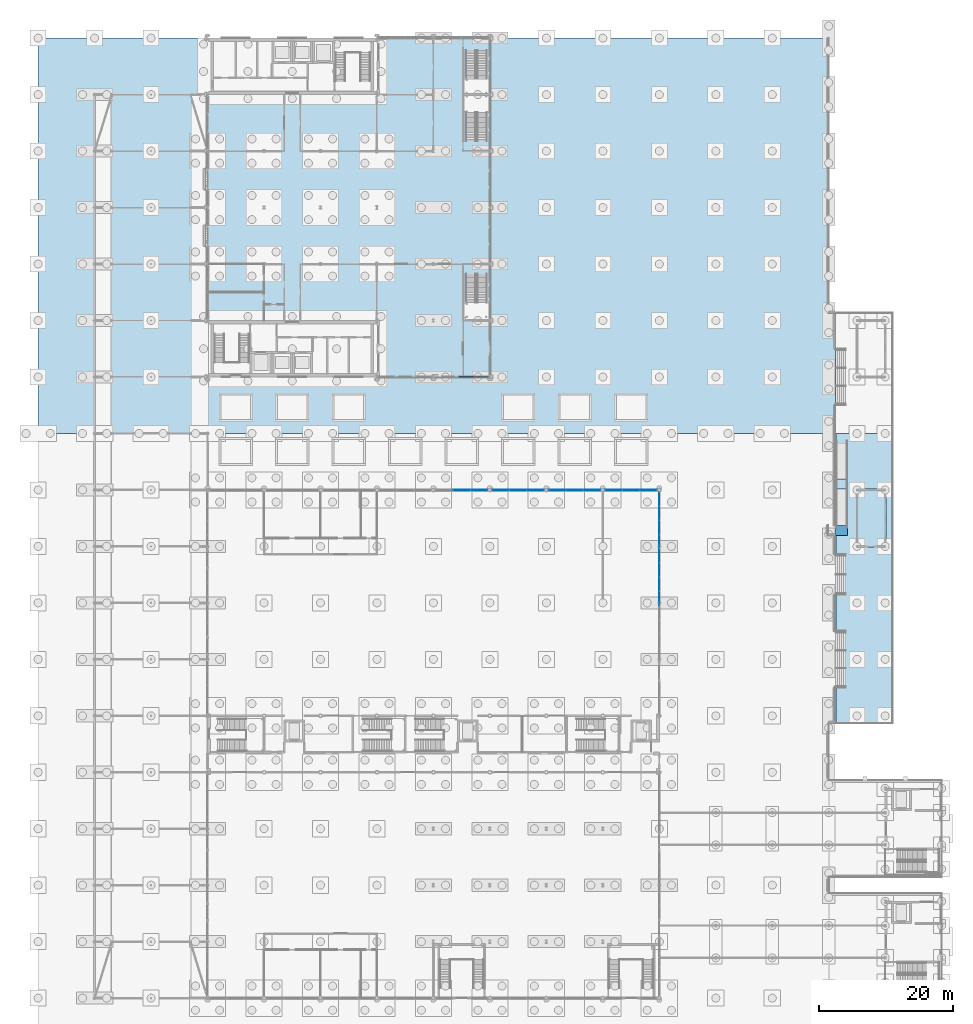
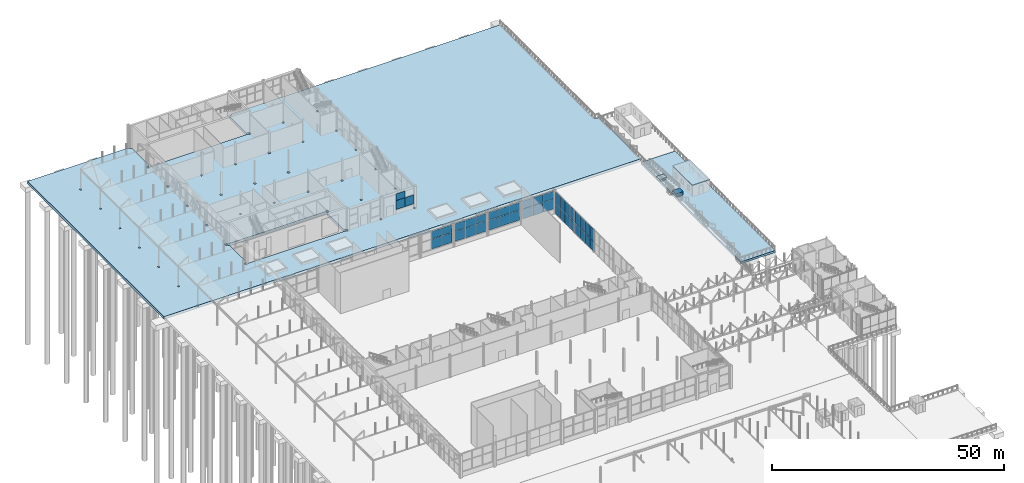
# One storey, part 177 of 212: 41 plates, 5 slabs, 7 elements without a shape of their own.
"""IFC4 building model written with IfcOpenShell, lengths in metres."""

from ifc_helpers import new_model, si_unit, direction, frame, origin, origin_2d, place, context, subcontext, project, spatial, polyline, rectangle, outline, extrude, material, layer, layer_set, type_object, element, aggregate, save


model = new_model("IFC4")

# Units and contexts
model_context = context("Model", 3, precision=1e-05, world=origin(), true_north=direction((0.0, 1.0)))
body_context = subcontext(model_context, "Body", "Model", "MODEL_VIEW")
ifc_project = project(units=[si_unit("LENGTHUNIT", "METRE"), si_unit("AREAUNIT", "SQUARE_METRE"), si_unit("VOLUMEUNIT", "CUBIC_METRE"), si_unit("PLANEANGLEUNIT", "RADIAN"), si_unit("MASSUNIT", "GRAM", prefix="KILO")], contexts=[model_context])

# Site, building, storey
site_placement = place(None, origin())
site = spatial("IfcSite", under=ifc_project, at=site_placement, CompositionType="ELEMENT")
building_placement = place(site_placement, origin())
building = spatial("IfcBuilding", under=site, at=building_placement, Name="Catenary Quay Ferry Terminal", CompositionType="ELEMENT")
storey_placement = place(building_placement, origin())
storey = spatial("IfcBuildingStorey", under=building, at=storey_placement, Name="L00", CompositionType="ELEMENT", Elevation=0.0)

# Curtain wall, plates
ifc_material_1 = material(Name="Aluminium and glass", Category="aluminium")
curtain_wall_type_1 = type_object("IfcCurtainWallType", Name="CWG", PredefinedType="NOTDEFINED", material=ifc_material_1)
curtain_wall_1_placement = place(storey_placement, origin())
curtain_wall_1 = element("IfcCurtainWall", 1, at=curtain_wall_1_placement, inside=storey, type_object=curtain_wall_type_1, Name="Gable departure hall curtain wall CW19", PredefinedType="NOTDEFINED")
ifc_material_2 = material(Name="Glass", Category="glass")
ifc_layer_1 = layer(ifc_material_2, 0.031982421875)
ifc_layer_set_1 = layer_set([ifc_layer_1], Name="PN1")
plate_type_1 = type_object("IfcPlateType", Name="PN1", PredefinedType="CURTAIN_PANEL", material=ifc_layer_set_1)
plate_1_placement = place(storey_placement, frame((92.39990234375, 126.65625, 0.06005859375), z_axis=(0.0, 0.0, 1.0), x_axis=(0.0, 1.0, 0.0)))
plate_1 = element("IfcPlate", 2, at=plate_1_placement, type_object=plate_type_1, Name="CW19 panel 5.1", PredefinedType="CURTAIN_PANEL", context=body_context, shape_type="SweptSolid", body=[
    extrude(rectangle(XDim=2.052490234375, YDim=0.031982421875, at=origin_2d()), origin(), (0.0, 0.0, 1.0), 2.610107421875),
])
plate_2_placement = place(storey_placement, frame((92.39990234375, 126.65625, 2.72998046875), z_axis=(0.0, 0.0, 1.0), x_axis=(0.0, 1.0, 0.0)))
plate_2 = element("IfcPlate", 3, at=plate_2_placement, type_object=plate_type_1, Name="CW19 panel 5.2", PredefinedType="CURTAIN_PANEL", context=body_context, shape_type="SweptSolid", body=[
    extrude(rectangle(XDim=2.052490234375, YDim=0.031982421875, at=origin_2d()), origin(), (0.0, 0.0, 1.0), 3.2099609375),
])
plate_3_placement = place(storey_placement, frame((92.39990234375, 128.768798828125, 0.06005859375), z_axis=(0.0, 0.0, 1.0), x_axis=(0.0, 1.0, 0.0)))
plate_3 = element("IfcPlate", 4, at=plate_3_placement, type_object=plate_type_1, Name="CW19 panel 6.1", PredefinedType="CURTAIN_PANEL", context=body_context, shape_type="SweptSolid", body=[
    extrude(rectangle(XDim=2.052490234375, YDim=0.031982421875, at=origin_2d()), origin(), (0.0, 0.0, 1.0), 2.610107421875),
])
plate_4_placement = place(storey_placement, frame((92.39990234375, 128.768798828125, 2.72998046875), z_axis=(0.0, 0.0, 1.0), x_axis=(0.0, 1.0, 0.0)))
plate_4 = element("IfcPlate", 5, at=plate_4_placement, type_object=plate_type_1, Name="CW19 panel 6.2", PredefinedType="CURTAIN_PANEL", context=body_context, shape_type="SweptSolid", body=[
    extrude(rectangle(XDim=2.052490234375, YDim=0.031982421875, at=origin_2d()), origin(), (0.0, 0.0, 1.0), 3.2099609375),
])
plate_5_placement = place(storey_placement, frame((92.39990234375, 130.88134765625, 0.06005859375), z_axis=(0.0, 0.0, 1.0), x_axis=(0.0, 1.0, 0.0)))
plate_5 = element("IfcPlate", 6, at=plate_5_placement, type_object=plate_type_1, Name="CW19 panel 7.1", PredefinedType="CURTAIN_PANEL", context=body_context, shape_type="SweptSolid", body=[
    extrude(rectangle(XDim=2.052490234375, YDim=0.031982421875, at=origin_2d()), origin(), (0.0, 0.0, 1.0), 2.610107421875),
])
plate_6_placement = place(storey_placement, frame((92.39990234375, 130.88134765625, 2.72998046875), z_axis=(0.0, 0.0, 1.0), x_axis=(0.0, 1.0, 0.0)))
plate_6 = element("IfcPlate", 7, at=plate_6_placement, type_object=plate_type_1, Name="CW19 panel 7.2", PredefinedType="CURTAIN_PANEL", context=body_context, shape_type="SweptSolid", body=[
    extrude(rectangle(XDim=2.052490234375, YDim=0.031982421875, at=origin_2d()), origin(), (0.0, 0.0, 1.0), 3.2099609375),
])
plate_7_placement = place(storey_placement, frame((92.39990234375, 132.99365234375, 0.06005859375), z_axis=(0.0, 0.0, 1.0), x_axis=(0.0, 1.0, 0.0)))
plate_7 = element("IfcPlate", 8, at=plate_7_placement, type_object=plate_type_1, Name="CW19 panel 8.1", PredefinedType="CURTAIN_PANEL", context=body_context, shape_type="SweptSolid", body=[
    extrude(rectangle(XDim=2.052490234375, YDim=0.031982421875, at=origin_2d()), origin(), (0.0, 0.0, 1.0), 2.610107421875),
])
plate_8_placement = place(storey_placement, frame((92.39990234375, 132.99365234375, 2.72998046875), z_axis=(0.0, 0.0, 1.0), x_axis=(0.0, 1.0, 0.0)))
plate_8 = element("IfcPlate", 9, at=plate_8_placement, type_object=plate_type_1, Name="CW19 panel 8.2", PredefinedType="CURTAIN_PANEL", context=body_context, shape_type="SweptSolid", body=[
    extrude(rectangle(XDim=2.052490234375, YDim=0.031982421875, at=origin_2d()), origin(), (0.0, 0.0, 1.0), 3.2099609375),
])
plate_9_placement = place(storey_placement, frame((92.39990234375, 135.106201171875, 0.06005859375), z_axis=(0.0, 0.0, 1.0), x_axis=(0.0, 1.0, 0.0)))
plate_9 = element("IfcPlate", 10, at=plate_9_placement, type_object=plate_type_1, Name="CW19 panel 9.1", PredefinedType="CURTAIN_PANEL", context=body_context, shape_type="SweptSolid", body=[
    extrude(rectangle(XDim=2.052490234375, YDim=0.031982421875, at=origin_2d()), origin(), (0.0, 0.0, 1.0), 2.610107421875),
])
plate_10_placement = place(storey_placement, frame((92.39990234375, 135.106201171875, 2.72998046875), z_axis=(0.0, 0.0, 1.0), x_axis=(0.0, 1.0, 0.0)))
plate_10 = element("IfcPlate", 11, at=plate_10_placement, type_object=plate_type_1, Name="CW19 panel 9.2", PredefinedType="CURTAIN_PANEL", context=body_context, shape_type="SweptSolid", body=[
    extrude(rectangle(XDim=2.052490234375, YDim=0.031982421875, at=origin_2d()), origin(), (0.0, 0.0, 1.0), 3.2099609375),
])
plate_11_placement = place(storey_placement, frame((92.39990234375, 137.21875, 0.06005859375), z_axis=(0.0, 0.0, 1.0), x_axis=(0.0, 1.0, 0.0)))
plate_11 = element("IfcPlate", 12, at=plate_11_placement, type_object=plate_type_1, Name="CW19 panel 10.1", PredefinedType="CURTAIN_PANEL", context=body_context, shape_type="SweptSolid", body=[
    extrude(rectangle(XDim=2.052490234375, YDim=0.031982421875, at=origin_2d()), origin(), (0.0, 0.0, 1.0), 2.610107421875),
])
plate_12_placement = place(storey_placement, frame((92.39990234375, 137.21875, 2.72998046875), z_axis=(0.0, 0.0, 1.0), x_axis=(0.0, 1.0, 0.0)))
plate_12 = element("IfcPlate", 13, at=plate_12_placement, type_object=plate_type_1, Name="CW19 panel 10.2", PredefinedType="CURTAIN_PANEL", context=body_context, shape_type="SweptSolid", body=[
    extrude(rectangle(XDim=2.052490234375, YDim=0.031982421875, at=origin_2d()), origin(), (0.0, 0.0, 1.0), 3.2099609375),
])
plate_13_placement = place(storey_placement, frame((92.39990234375, 139.331298828125, 0.06005859375), z_axis=(0.0, 0.0, 1.0), x_axis=(0.0, 1.0, 0.0)))
plate_13 = element("IfcPlate", 14, at=plate_13_placement, type_object=plate_type_1, Name="CW19 panel 11.1", PredefinedType="CURTAIN_PANEL", context=body_context, shape_type="SweptSolid", body=[
    extrude(rectangle(XDim=2.052490234375, YDim=0.031982421875, at=origin_2d()), origin(), (0.0, 0.0, 1.0), 2.610107421875),
])
plate_14_placement = place(storey_placement, frame((92.39990234375, 139.331298828125, 2.72998046875), z_axis=(0.0, 0.0, 1.0), x_axis=(0.0, 1.0, 0.0)))
plate_14 = element("IfcPlate", 15, at=plate_14_placement, type_object=plate_type_1, Name="CW19 panel 11.2", PredefinedType="CURTAIN_PANEL", context=body_context, shape_type="SweptSolid", body=[
    extrude(rectangle(XDim=2.052490234375, YDim=0.031982421875, at=origin_2d()), origin(), (0.0, 0.0, 1.0), 3.2099609375),
])
plate_15_placement = place(storey_placement, frame((92.39990234375, 141.4287109375, 0.06005859375), z_axis=(0.0, 0.0, 1.0), x_axis=(0.0, 1.0, 0.0)))
plate_15 = element("IfcPlate", 16, at=plate_15_placement, type_object=plate_type_1, Name="CW19 panel 12.1", PredefinedType="CURTAIN_PANEL", context=body_context, shape_type="SweptSolid", body=[
    extrude(rectangle(XDim=2.0224609375, YDim=0.031982421875, at=origin_2d()), origin(), (0.0, 0.0, 1.0), 2.610107421875),
])
plate_16_placement = place(storey_placement, frame((92.39990234375, 141.4287109375, 2.72998046875), z_axis=(0.0, 0.0, 1.0), x_axis=(0.0, 1.0, 0.0)))
plate_16 = element("IfcPlate", 17, at=plate_16_placement, type_object=plate_type_1, Name="CW19 panel 12.2", PredefinedType="CURTAIN_PANEL", context=body_context, shape_type="SweptSolid", body=[
    extrude(rectangle(XDim=2.0224609375, YDim=0.031982421875, at=origin_2d()), origin(), (0.0, 0.0, 1.0), 3.2099609375),
])
aggregate(curtain_wall_1, [plate_1, plate_2, plate_3, plate_4, plate_5, plate_6, plate_7, plate_8, plate_9, plate_10, plate_11, plate_12, plate_13, plate_14, plate_15, plate_16])

ifc_material_3 = material(Name="Aluminium and glass", Category="aluminium")
curtain_wall_type_2 = type_object("IfcCurtainWallType", Name="CWH", PredefinedType="NOTDEFINED", material=ifc_material_3)
curtain_wall_2_placement = place(storey_placement, origin())
curtain_wall_2 = element("IfcCurtainWall", 18, at=curtain_wall_2_placement, inside=storey, type_object=curtain_wall_type_2, Name="Hall curtain wall CW44", PredefinedType="NOTDEFINED")
ifc_material_4 = material(Name="Glass", Category="glass")
ifc_layer_2 = layer(ifc_material_4, 0.0400390625)
ifc_layer_set_2 = layer_set([ifc_layer_2], Name="PN2")
plate_type_2 = type_object("IfcPlateType", Name="PN2", PredefinedType="CURTAIN_PANEL", material=ifc_layer_set_2)
plate_17_placement = place(storey_placement, frame((63.0, 142.800048828125, 1.259765625), z_axis=(0.0, 0.0, 1.0), x_axis=(1.0, 0.0, 0.0)))
plate_17 = element("IfcPlate", 19, at=plate_17_placement, type_object=plate_type_2, Name="CW44 panel 2.1", PredefinedType="CURTAIN_PANEL", context=body_context, shape_type="SweptSolid", body=[
    extrude(rectangle(XDim=2.530029296875, YDim=0.0400390625, at=origin_2d()), origin(), (0.0, 0.0, 1.0), 2.610107421875),
])
plate_18_placement = place(storey_placement, frame((63.0, 142.800048828125, 3.93017578125), z_axis=(0.0, 0.0, 1.0), x_axis=(1.0, 0.0, 0.0)))
plate_18 = element("IfcPlate", 20, at=plate_18_placement, type_object=plate_type_2, Name="CW44 panel 2.2", PredefinedType="CURTAIN_PANEL", context=body_context, shape_type="SweptSolid", body=[
    extrude(rectangle(XDim=2.530029296875, YDim=0.0400390625, at=origin_2d()), origin(), (0.0, 0.0, 1.0), 2.010009765625),
])
plate_19_placement = place(storey_placement, frame((65.58251953125, 142.800048828125, 1.259765625), z_axis=(0.0, 0.0, 1.0), x_axis=(1.0, 0.0, 0.0)))
plate_19 = element("IfcPlate", 21, at=plate_19_placement, type_object=plate_type_2, Name="CW44 panel 3.1", PredefinedType="CURTAIN_PANEL", context=body_context, shape_type="SweptSolid", body=[
    extrude(rectangle(XDim=2.4951171875, YDim=0.0400390625, at=origin_2d()), origin(), (0.0, 0.0, 1.0), 2.610107421875),
])
plate_20_placement = place(storey_placement, frame((65.58251953125, 142.800048828125, 3.93017578125), z_axis=(0.0, 0.0, 1.0), x_axis=(1.0, 0.0, 0.0)))
plate_20 = element("IfcPlate", 22, at=plate_20_placement, type_object=plate_type_2, Name="CW44 panel 3.2", PredefinedType="CURTAIN_PANEL", context=body_context, shape_type="SweptSolid", body=[
    extrude(rectangle(XDim=2.4951171875, YDim=0.0400390625, at=origin_2d()), origin(), (0.0, 0.0, 1.0), 2.010009765625),
])
aggregate(curtain_wall_2, [plate_17, plate_18, plate_19, plate_20])

curtain_wall_3_placement = place(storey_placement, origin())
curtain_wall_3 = element("IfcCurtainWall", 23, at=curtain_wall_3_placement, inside=storey, type_object=curtain_wall_type_2, Name="Hall curtain wall CW45", PredefinedType="NOTDEFINED")
plate_21_placement = place(storey_placement, frame((68.8173828125, 142.800048828125, 1.259765625), z_axis=(0.0, 0.0, 1.0), x_axis=(1.0, 0.0, 0.0)))
plate_21 = element("IfcPlate", 24, at=plate_21_placement, type_object=plate_type_2, Name="CW45 panel 1.1", PredefinedType="CURTAIN_PANEL", context=body_context, shape_type="SweptSolid", body=[
    extrude(rectangle(XDim=2.4951171875, YDim=0.0400390625, at=origin_2d()), origin(), (0.0, 0.0, 1.0), 2.610107421875),
])
plate_22_placement = place(storey_placement, frame((68.8173828125, 142.800048828125, 3.93017578125), z_axis=(0.0, 0.0, 1.0), x_axis=(1.0, 0.0, 0.0)))
plate_22 = element("IfcPlate", 25, at=plate_22_placement, type_object=plate_type_2, Name="CW45 panel 1.2", PredefinedType="CURTAIN_PANEL", context=body_context, shape_type="SweptSolid", body=[
    extrude(rectangle(XDim=2.4951171875, YDim=0.0400390625, at=origin_2d()), origin(), (0.0, 0.0, 1.0), 2.010009765625),
])
plate_23_placement = place(storey_placement, frame((71.39990234375, 142.800048828125, 1.259765625), z_axis=(0.0, 0.0, 1.0), x_axis=(1.0, 0.0, 0.0)))
plate_23 = element("IfcPlate", 26, at=plate_23_placement, type_object=plate_type_2, Name="CW45 panel 2.1", PredefinedType="CURTAIN_PANEL", context=body_context, shape_type="SweptSolid", body=[
    extrude(rectangle(XDim=2.530029296875, YDim=0.0400390625, at=origin_2d()), origin(), (0.0, 0.0, 1.0), 2.610107421875),
])
plate_24_placement = place(storey_placement, frame((71.39990234375, 142.800048828125, 3.93017578125), z_axis=(0.0, 0.0, 1.0), x_axis=(1.0, 0.0, 0.0)))
plate_24 = element("IfcPlate", 27, at=plate_24_placement, type_object=plate_type_2, Name="CW45 panel 2.2", PredefinedType="CURTAIN_PANEL", context=body_context, shape_type="SweptSolid", body=[
    extrude(rectangle(XDim=2.530029296875, YDim=0.0400390625, at=origin_2d()), origin(), (0.0, 0.0, 1.0), 2.010009765625),
])
plate_25_placement = place(storey_placement, frame((73.982421875, 142.800048828125, 1.259765625), z_axis=(0.0, 0.0, 1.0), x_axis=(1.0, 0.0, 0.0)))
plate_25 = element("IfcPlate", 28, at=plate_25_placement, type_object=plate_type_2, Name="CW45 panel 3.1", PredefinedType="CURTAIN_PANEL", context=body_context, shape_type="SweptSolid", body=[
    extrude(rectangle(XDim=2.4951171875, YDim=0.0400390625, at=origin_2d()), origin(), (0.0, 0.0, 1.0), 2.610107421875),
])
plate_26_placement = place(storey_placement, frame((73.982421875, 142.800048828125, 3.93017578125), z_axis=(0.0, 0.0, 1.0), x_axis=(1.0, 0.0, 0.0)))
plate_26 = element("IfcPlate", 29, at=plate_26_placement, type_object=plate_type_2, Name="CW45 panel 3.2", PredefinedType="CURTAIN_PANEL", context=body_context, shape_type="SweptSolid", body=[
    extrude(rectangle(XDim=2.4951171875, YDim=0.0400390625, at=origin_2d()), origin(), (0.0, 0.0, 1.0), 2.010009765625),
])
aggregate(curtain_wall_3, [plate_21, plate_22, plate_23, plate_24, plate_25, plate_26])

curtain_wall_4_placement = place(storey_placement, origin())
curtain_wall_4 = element("IfcCurtainWall", 30, at=curtain_wall_4_placement, inside=storey, type_object=curtain_wall_type_2, Name="Hall curtain wall CW46", PredefinedType="NOTDEFINED")
plate_27_placement = place(storey_placement, frame((77.217529296875, 142.800048828125, 1.259765625), z_axis=(0.0, 0.0, 1.0), x_axis=(1.0, 0.0, 0.0)))
plate_27 = element("IfcPlate", 31, at=plate_27_placement, type_object=plate_type_2, Name="CW46 panel 1.1", PredefinedType="CURTAIN_PANEL", context=body_context, shape_type="SweptSolid", body=[
    extrude(rectangle(XDim=2.4951171875, YDim=0.0400390625, at=origin_2d()), origin(), (0.0, 0.0, 1.0), 2.610107421875),
])
plate_28_placement = place(storey_placement, frame((77.217529296875, 142.800048828125, 3.93017578125), z_axis=(0.0, 0.0, 1.0), x_axis=(1.0, 0.0, 0.0)))
plate_28 = element("IfcPlate", 32, at=plate_28_placement, type_object=plate_type_2, Name="CW46 panel 1.2", PredefinedType="CURTAIN_PANEL", context=body_context, shape_type="SweptSolid", body=[
    extrude(rectangle(XDim=2.4951171875, YDim=0.0400390625, at=origin_2d()), origin(), (0.0, 0.0, 1.0), 2.010009765625),
])
plate_29_placement = place(storey_placement, frame((79.800048828125, 142.800048828125, 1.259765625), z_axis=(0.0, 0.0, 1.0), x_axis=(1.0, 0.0, 0.0)))
plate_29 = element("IfcPlate", 33, at=plate_29_placement, type_object=plate_type_2, Name="CW46 panel 2.1", PredefinedType="CURTAIN_PANEL", context=body_context, shape_type="SweptSolid", body=[
    extrude(rectangle(XDim=2.530029296875, YDim=0.0400390625, at=origin_2d()), origin(), (0.0, 0.0, 1.0), 2.610107421875),
])
plate_30_placement = place(storey_placement, frame((79.800048828125, 142.800048828125, 3.93017578125), z_axis=(0.0, 0.0, 1.0), x_axis=(1.0, 0.0, 0.0)))
plate_30 = element("IfcPlate", 34, at=plate_30_placement, type_object=plate_type_2, Name="CW46 panel 2.2", PredefinedType="CURTAIN_PANEL", context=body_context, shape_type="SweptSolid", body=[
    extrude(rectangle(XDim=2.530029296875, YDim=0.0400390625, at=origin_2d()), origin(), (0.0, 0.0, 1.0), 2.010009765625),
])
plate_31_placement = place(storey_placement, frame((82.382568359375, 142.800048828125, 1.259765625), z_axis=(0.0, 0.0, 1.0), x_axis=(1.0, 0.0, 0.0)))
plate_31 = element("IfcPlate", 35, at=plate_31_placement, type_object=plate_type_2, Name="CW46 panel 3.1", PredefinedType="CURTAIN_PANEL", context=body_context, shape_type="SweptSolid", body=[
    extrude(rectangle(XDim=2.4951171875, YDim=0.0400390625, at=origin_2d()), origin(), (0.0, 0.0, 1.0), 2.610107421875),
])
plate_32_placement = place(storey_placement, frame((82.382568359375, 142.800048828125, 3.93017578125), z_axis=(0.0, 0.0, 1.0), x_axis=(1.0, 0.0, 0.0)))
plate_32 = element("IfcPlate", 36, at=plate_32_placement, type_object=plate_type_2, Name="CW46 panel 3.2", PredefinedType="CURTAIN_PANEL", context=body_context, shape_type="SweptSolid", body=[
    extrude(rectangle(XDim=2.4951171875, YDim=0.0400390625, at=origin_2d()), origin(), (0.0, 0.0, 1.0), 2.010009765625),
])
aggregate(curtain_wall_4, [plate_27, plate_28, plate_29, plate_30, plate_31, plate_32])

curtain_wall_5_placement = place(storey_placement, origin())
curtain_wall_5 = element("IfcCurtainWall", 37, at=curtain_wall_5_placement, inside=storey, type_object=curtain_wall_type_2, Name="Hall curtain wall CW47", PredefinedType="NOTDEFINED")
plate_33_placement = place(storey_placement, frame((85.617431640625, 142.800048828125, 1.259765625), z_axis=(0.0, 0.0, 1.0), x_axis=(1.0, 0.0, 0.0)))
plate_33 = element("IfcPlate", 38, at=plate_33_placement, type_object=plate_type_2, Name="CW47 panel 1.1", PredefinedType="CURTAIN_PANEL", context=body_context, shape_type="SweptSolid", body=[
    extrude(rectangle(XDim=2.4951171875, YDim=0.0400390625, at=origin_2d()), origin(), (0.0, 0.0, 1.0), 2.610107421875),
])
plate_34_placement = place(storey_placement, frame((85.617431640625, 142.800048828125, 3.93017578125), z_axis=(0.0, 0.0, 1.0), x_axis=(1.0, 0.0, 0.0)))
plate_34 = element("IfcPlate", 39, at=plate_34_placement, type_object=plate_type_2, Name="CW47 panel 1.2", PredefinedType="CURTAIN_PANEL", context=body_context, shape_type="SweptSolid", body=[
    extrude(rectangle(XDim=2.4951171875, YDim=0.0400390625, at=origin_2d()), origin(), (0.0, 0.0, 1.0), 2.010009765625),
])
plate_35_placement = place(storey_placement, frame((88.199951171875, 142.800048828125, 1.259765625), z_axis=(0.0, 0.0, 1.0), x_axis=(1.0, 0.0, 0.0)))
plate_35 = element("IfcPlate", 40, at=plate_35_placement, type_object=plate_type_2, Name="CW47 panel 2.1", PredefinedType="CURTAIN_PANEL", context=body_context, shape_type="SweptSolid", body=[
    extrude(rectangle(XDim=2.530029296875, YDim=0.0400390625, at=origin_2d()), origin(), (0.0, 0.0, 1.0), 2.610107421875),
])
plate_36_placement = place(storey_placement, frame((88.199951171875, 142.800048828125, 3.93017578125), z_axis=(0.0, 0.0, 1.0), x_axis=(1.0, 0.0, 0.0)))
plate_36 = element("IfcPlate", 41, at=plate_36_placement, type_object=plate_type_2, Name="CW47 panel 2.2", PredefinedType="CURTAIN_PANEL", context=body_context, shape_type="SweptSolid", body=[
    extrude(rectangle(XDim=2.530029296875, YDim=0.0400390625, at=origin_2d()), origin(), (0.0, 0.0, 1.0), 2.010009765625),
])
plate_37_placement = place(storey_placement, frame((90.782470703125, 142.800048828125, 1.259765625), z_axis=(0.0, 0.0, 1.0), x_axis=(1.0, 0.0, 0.0)))
plate_37 = element("IfcPlate", 42, at=plate_37_placement, type_object=plate_type_2, Name="CW47 panel 3.1", PredefinedType="CURTAIN_PANEL", context=body_context, shape_type="SweptSolid", body=[
    extrude(rectangle(XDim=2.4951171875, YDim=0.0400390625, at=origin_2d()), origin(), (0.0, 0.0, 1.0), 2.610107421875),
])
plate_38_placement = place(storey_placement, frame((90.782470703125, 142.800048828125, 3.93017578125), z_axis=(0.0, 0.0, 1.0), x_axis=(1.0, 0.0, 0.0)))
plate_38 = element("IfcPlate", 43, at=plate_38_placement, type_object=plate_type_2, Name="CW47 panel 3.2", PredefinedType="CURTAIN_PANEL", context=body_context, shape_type="SweptSolid", body=[
    extrude(rectangle(XDim=2.4951171875, YDim=0.0400390625, at=origin_2d()), origin(), (0.0, 0.0, 1.0), 2.010009765625),
])
aggregate(curtain_wall_5, [plate_33, plate_34, plate_35, plate_36, plate_37, plate_38])

ifc_material_5 = material(Name="Aluminium and glass", Category="aluminium")
curtain_wall_type_3 = type_object("IfcCurtainWallType", Name="CWW4", PredefinedType="NOTDEFINED", material=ifc_material_5)
curtain_wall_6_placement = place(storey_placement, origin())
curtain_wall_6 = element("IfcCurtainWall", 44, at=curtain_wall_6_placement, inside=storey, type_object=curtain_wall_type_3, Name="Wing curtain wall CW115", PredefinedType="NOTDEFINED")
ifc_material_6 = material(Name="Ceramic tile facing on insulated backing")
ifc_layer_3 = layer(ifc_material_6, 0.14990234375)
ifc_layer_set_3 = layer_set([ifc_layer_3], Name="PN7")
plate_type_3 = type_object("IfcPlateType", Name="PN7", PredefinedType="CURTAIN_PANEL", material=ifc_layer_set_3)
plate_39_placement = place(storey_placement, frame((63.642578125, 159.60009765625, 1.260009765625), z_axis=(0.0, 0.0, 1.0), x_axis=(1.0, 0.0, 0.0)))
plate_39 = element("IfcPlate", 45, at=plate_39_placement, type_object=plate_type_3, Name="CW115 panel 1.1", PredefinedType="CURTAIN_PANEL", context=body_context, shape_type="SweptSolid", body=[
    extrude(rectangle(XDim=2.14501953125, YDim=0.14990234375, at=origin_2d()), origin(), (0.0, 0.0, 1.0), 2.31005859375),
])
plate_40_placement = place(storey_placement, frame((63.642578125, 159.60009765625, 3.630126953125), z_axis=(0.0, 0.0, 1.0), x_axis=(1.0, 0.0, 0.0)))
plate_40 = element("IfcPlate", 46, at=plate_40_placement, type_object=plate_type_3, Name="CW115 panel 1.2", PredefinedType="CURTAIN_PANEL", context=body_context, shape_type="SweptSolid", body=[
    extrude(rectangle(XDim=2.14501953125, YDim=0.14990234375, at=origin_2d()), origin(), (0.0, 0.0, 1.0), 1.7099609375),
])
plate_41_placement = place(storey_placement, frame((65.857421875, 159.60009765625, 1.260009765625), z_axis=(0.0, 0.0, 1.0), x_axis=(1.0, 0.0, 0.0)))
plate_41 = element("IfcPlate", 47, at=plate_41_placement, type_object=plate_type_3, Name="CW115 panel 2.1", PredefinedType="CURTAIN_PANEL", context=body_context, shape_type="SweptSolid", body=[
    extrude(rectangle(XDim=2.14501953125, YDim=0.14990234375, at=origin_2d()), origin(), (0.0, 0.0, 1.0), 2.31005859375),
])
aggregate(curtain_wall_6, [plate_39, plate_40, plate_41])

# Slabs
ifc_material_7 = material(Name="Concrete C35/45", Category="concrete")
ifc_layer_4 = layer(ifc_material_7, 0.14990234375)
ifc_layer_set_4 = layer_set([ifc_layer_4], Name="Pavilion roof slab 150")
slab_type_1 = type_object("IfcSlabType", Name="Pavilion roof slab 150", PredefinedType="ROOF", material=ifc_layer_set_4)
slab_1_placement = place(storey_placement, frame((0.0, 0.0, 2.10009765625)))
element("IfcSlab", 48, at=slab_1_placement, inside=storey, type_object=slab_type_1, Name="Riverside Cafe roof slab", PredefinedType="ROOF", context=body_context, shape_type="SweptSolid", body=[
    extrude(outline(polyline([(126.10009765625, 134.300048828125), (126.10009765625, 142.89990234375), (121.699951171875, 142.89990234375), (121.699951171875, 134.300048828125), (126.10009765625, 134.300048828125)])), origin(), (0.0, 0.0, 1.0), 0.14990234375),
])
ifc_material_8 = material(Name="Concrete C35/45", Category="concrete")
ifc_layer_5 = layer(ifc_material_8, 0.699951171875)
ifc_layer_set_5 = layer_set([ifc_layer_5], Name="Quay deck slab 700")
slab_type_2 = type_object("IfcSlabType", Name="Quay deck slab 700", PredefinedType="BASESLAB", material=ifc_layer_set_5)
slab_2_placement = place(storey_placement, frame((0.0, 0.0, -0.699951171875)))
element("IfcSlab", 49, at=slab_2_placement, inside=storey, type_object=slab_type_2, Name="Quay deck panel P3 operations wing", PredefinedType="BASESLAB", context=body_context, shape_type="SweptSolid", body=[
    extrude(outline(polyline([(0.0, 151.215087890625), (0.0, 210.0), (24.93994140625, 210.0), (24.93994140625, 209.739990234375), (25.340087890625, 209.739990234375), (25.340087890625, 209.489990234375), (25.68994140625, 209.489990234375), (25.68994140625, 202.110107421875), (25.340087890625, 202.110107421875), (25.340087890625, 201.860107421875), (24.93994140625, 201.860107421875), (24.93994140625, 201.340087890625), (25.4599609375, 201.340087890625), (25.4599609375, 201.590087890625), (50.139892578125, 201.590087890625), (50.139892578125, 201.340087890625), (50.659912109375, 201.340087890625), (50.659912109375, 201.860107421875), (50.403076171875, 201.860107421875), (50.403076171875, 202.110107421875), (49.909912109375, 202.110107421875), (49.909912109375, 209.489990234375), (50.403076171875, 209.489990234375), (50.403076171875, 209.739990234375), (50.659912109375, 209.739990234375), (50.659912109375, 210.0), (58.590087890625, 210.0), (58.590087890625, 209.7900390625), (59.010009765625, 209.7900390625), (59.010009765625, 210.0), (66.989990234375, 210.0), (66.989990234375, 209.7900390625), (67.409912109375, 209.7900390625), (67.409912109375, 210.0), (117.60009765625, 210.0), (117.60009765625, 169.199951171875), (118.6201171875, 169.199951171875), (118.6201171875, 151.215087890625), (25.3876953125, 151.215087890625), (25.3876953125, 151.3876953125), (25.01220703125, 151.3876953125), (25.01220703125, 151.215087890625), (8.587890625, 151.215087890625), (8.587890625, 151.3876953125), (8.212158203125, 151.3876953125), (8.212158203125, 151.215087890625), (0.0, 151.215087890625)]), holes=[polyline([(8.212158203125, 159.412109375), (8.587890625, 159.412109375), (8.587890625, 159.787841796875), (8.212158203125, 159.787841796875), (8.212158203125, 159.412109375)]), polyline([(24.93994140625, 159.340087890625), (25.4599609375, 159.340087890625), (25.4599609375, 159.590087890625), (50.139892578125, 159.590087890625), (50.139892578125, 159.340087890625), (50.659912109375, 159.340087890625), (50.659912109375, 159.860107421875), (50.403076171875, 159.860107421875), (50.403076171875, 160.110107421875), (49.909912109375, 160.110107421875), (49.909912109375, 167.489990234375), (50.403076171875, 167.489990234375), (50.403076171875, 167.739990234375), (50.659912109375, 167.739990234375), (50.659912109375, 168.260009765625), (50.139892578125, 168.260009765625), (50.139892578125, 168.010009765625), (25.4599609375, 168.010009765625), (25.4599609375, 168.260009765625), (24.93994140625, 168.260009765625), (24.93994140625, 167.739990234375), (25.340087890625, 167.739990234375), (25.340087890625, 167.489990234375), (25.68994140625, 167.489990234375), (25.68994140625, 160.110107421875), (25.340087890625, 160.110107421875), (25.340087890625, 159.860107421875), (24.93994140625, 159.860107421875), (24.93994140625, 159.340087890625)]), polyline([(8.212158203125, 167.812255859375), (8.587890625, 167.812255859375), (8.587890625, 168.187744140625), (8.212158203125, 168.187744140625), (8.212158203125, 167.812255859375)]), polyline([(8.212158203125, 176.212158203125), (8.587890625, 176.212158203125), (8.587890625, 176.587890625), (8.212158203125, 176.587890625), (8.212158203125, 176.212158203125)]), polyline([(33.386474609375, 176.1865234375), (33.8134765625, 176.1865234375), (33.8134765625, 176.613525390625), (33.386474609375, 176.613525390625), (33.386474609375, 176.1865234375)]), polyline([(24.93994140625, 176.139892578125), (25.4599609375, 176.139892578125), (25.4599609375, 176.659912109375), (24.93994140625, 176.659912109375), (24.93994140625, 176.139892578125)]), polyline([(33.386474609375, 184.58642578125), (33.8134765625, 184.58642578125), (33.8134765625, 185.013427734375), (33.386474609375, 185.013427734375), (33.386474609375, 184.58642578125)]), polyline([(24.93994140625, 184.5400390625), (25.4599609375, 184.5400390625), (25.4599609375, 185.06005859375), (24.93994140625, 185.06005859375), (24.93994140625, 184.5400390625)]), polyline([(8.212158203125, 184.6123046875), (8.587890625, 184.6123046875), (8.587890625, 184.98779296875), (8.212158203125, 184.98779296875), (8.212158203125, 184.6123046875)]), polyline([(25.4599609375, 192.93994140625), (25.4599609375, 193.4599609375), (24.93994140625, 193.4599609375), (24.93994140625, 192.93994140625), (25.4599609375, 192.93994140625)]), polyline([(8.212158203125, 193.01220703125), (8.587890625, 193.01220703125), (8.587890625, 193.3876953125), (8.212158203125, 193.3876953125), (8.212158203125, 193.01220703125)]), polyline([(8.212158203125, 201.412109375), (8.587890625, 201.412109375), (8.587890625, 201.787841796875), (8.212158203125, 201.787841796875), (8.212158203125, 201.412109375)]), polyline([(41.78662109375, 176.1865234375), (42.21337890625, 176.1865234375), (42.21337890625, 176.613525390625), (41.78662109375, 176.613525390625), (41.78662109375, 176.1865234375)]), polyline([(41.78662109375, 184.58642578125), (42.21337890625, 184.58642578125), (42.21337890625, 185.013427734375), (41.78662109375, 185.013427734375), (41.78662109375, 184.58642578125)]), polyline([(33.8134765625, 192.986572265625), (33.8134765625, 193.41357421875), (33.386474609375, 193.41357421875), (33.386474609375, 192.986572265625), (33.8134765625, 192.986572265625)]), polyline([(41.78662109375, 192.986572265625), (42.21337890625, 192.986572265625), (42.21337890625, 193.41357421875), (41.78662109375, 193.41357421875), (41.78662109375, 192.986572265625)]), polyline([(66.989990234375, 159.389892578125), (67.409912109375, 159.389892578125), (67.409912109375, 159.81005859375), (66.989990234375, 159.81005859375), (66.989990234375, 159.389892578125)]), polyline([(58.590087890625, 159.389892578125), (59.010009765625, 159.389892578125), (59.010009765625, 159.81005859375), (58.590087890625, 159.81005859375), (58.590087890625, 159.389892578125)]), polyline([(66.989990234375, 167.7900390625), (67.409912109375, 167.7900390625), (67.409912109375, 168.2099609375), (66.989990234375, 168.2099609375), (66.989990234375, 167.7900390625)]), polyline([(58.590087890625, 167.7900390625), (59.010009765625, 167.7900390625), (59.010009765625, 168.2099609375), (58.590087890625, 168.2099609375), (58.590087890625, 167.7900390625)]), polyline([(58.590087890625, 176.18994140625), (59.010009765625, 176.18994140625), (59.010009765625, 176.610107421875), (58.590087890625, 176.610107421875), (58.590087890625, 176.18994140625)]), polyline([(50.139892578125, 176.139892578125), (50.659912109375, 176.139892578125), (50.659912109375, 176.659912109375), (50.139892578125, 176.659912109375), (50.139892578125, 176.139892578125)]), polyline([(66.989990234375, 176.18994140625), (67.409912109375, 176.18994140625), (67.409912109375, 176.610107421875), (66.989990234375, 176.610107421875), (66.989990234375, 176.18994140625)]), polyline([(50.139892578125, 184.5400390625), (50.659912109375, 184.5400390625), (50.659912109375, 185.06005859375), (50.139892578125, 185.06005859375), (50.139892578125, 184.5400390625)]), polyline([(66.989990234375, 184.590087890625), (67.409912109375, 184.590087890625), (67.409912109375, 185.010009765625), (66.989990234375, 185.010009765625), (66.989990234375, 184.590087890625)]), polyline([(50.139892578125, 192.93994140625), (50.659912109375, 192.93994140625), (50.659912109375, 193.4599609375), (50.139892578125, 193.4599609375), (50.139892578125, 192.93994140625)]), polyline([(58.590087890625, 192.989990234375), (59.010009765625, 192.989990234375), (59.010009765625, 193.409912109375), (58.590087890625, 193.409912109375), (58.590087890625, 192.989990234375)]), polyline([(66.989990234375, 192.989990234375), (67.409912109375, 192.989990234375), (67.409912109375, 193.409912109375), (66.989990234375, 193.409912109375), (66.989990234375, 192.989990234375)]), polyline([(58.590087890625, 201.389892578125), (59.010009765625, 201.389892578125), (59.010009765625, 201.81005859375), (58.590087890625, 201.81005859375), (58.590087890625, 201.389892578125)]), polyline([(66.989990234375, 201.389892578125), (67.409912109375, 201.389892578125), (67.409912109375, 201.81005859375), (66.989990234375, 201.81005859375), (66.989990234375, 201.389892578125)])]), origin(), (0.0, 0.0, 1.0), 0.699951171875),
])

# Ramp, slabs
ifc_material_9 = material(Name="Concrete C35/45", Category="concrete")
ramp_type = type_object("IfcRampType", Name="RTR1800", PredefinedType="TWO_STRAIGHT_RUN_RAMP", material=ifc_material_9)
ramp_placement = place(storey_placement, origin())
ramp = element("IfcRamp", 50, at=ramp_placement, inside=storey, type_object=ramp_type, Name="River ramp RR1", PredefinedType="TWO_STRAIGHT_RUN_RAMP")
ifc_material_10 = material(Name="Concrete C35/45", Category="concrete")
ifc_layer_6 = layer(ifc_material_10, 0.449951171875)
ifc_layer_set_6 = layer_set([ifc_layer_6], Name="Ramp landing 450")
slab_type_3 = type_object("IfcSlabType", Name="Ramp landing 450", PredefinedType="LANDING", material=ifc_layer_set_6)
slab_3_placement = place(storey_placement, frame((0.0, 0.0, -0.89990234375)))
slab_3 = element("IfcSlab", 51, at=slab_3_placement, type_object=slab_type_3, Name="River ramp RR1 middle landing", PredefinedType="LANDING", context=body_context, shape_type="SweptSolid", body=[
    extrude(outline(polyline([(120.419921875, 142.89990234375), (120.419921875, 144.39990234375), (118.6201171875, 144.39990234375), (118.6201171875, 142.89990234375), (120.419921875, 142.89990234375)])), origin(), (0.0, 0.0, 1.0), 0.449951171875),
])
ifc_material_11 = material(Name="Concrete C35/45", Category="concrete")
ifc_layer_7 = layer(ifc_material_11, 0.89990234375)
ifc_layer_set_7 = layer_set([ifc_layer_7], Name="Ramp landing 900")
slab_type_4 = type_object("IfcSlabType", Name="Ramp landing 900", PredefinedType="LANDING", material=ifc_layer_set_7)
slab_4_placement = place(storey_placement, frame((0.0, 0.0, -0.89990234375)))
slab_4 = element("IfcSlab", 52, at=slab_4_placement, type_object=slab_type_4, Name="River ramp RR1 head landing", PredefinedType="LANDING", context=body_context, shape_type="SweptSolid", body=[
    extrude(outline(polyline([(120.419921875, 136.0), (120.419921875, 137.5), (118.6201171875, 137.5), (118.6201171875, 136.0), (120.419921875, 136.0)])), origin(), (0.0, 0.0, 1.0), 0.89990234375),
])
aggregate(ramp, [slab_4, slab_3])

# Slab
ifc_material_12 = material(Name="Concrete C35/45", Category="concrete")
ifc_layer_8 = layer(ifc_material_12, 0.5)
ifc_layer_set_8 = layer_set([ifc_layer_8], Name="River terrace slab 500")
slab_type_5 = type_object("IfcSlabType", Name="River terrace slab 500", PredefinedType="BASESLAB", material=ifc_layer_set_8)
slab_5_placement = place(storey_placement, frame((0.0, 0.0, -1.39990234375)))
element("IfcSlab", 53, at=slab_5_placement, inside=storey, type_object=slab_type_5, Name="River terrace slab south", PredefinedType="BASESLAB", context=body_context, shape_type="SweptSolid", body=[
    extrude(outline(polyline([(127.199951171875, 108.0), (127.199951171875, 151.18505859375), (118.64990234375, 151.18505859375), (118.64990234375, 108.0), (127.199951171875, 108.0)])), origin(), (0.0, 0.0, 1.0), 0.5),
])

save(model, "model.ifc")
